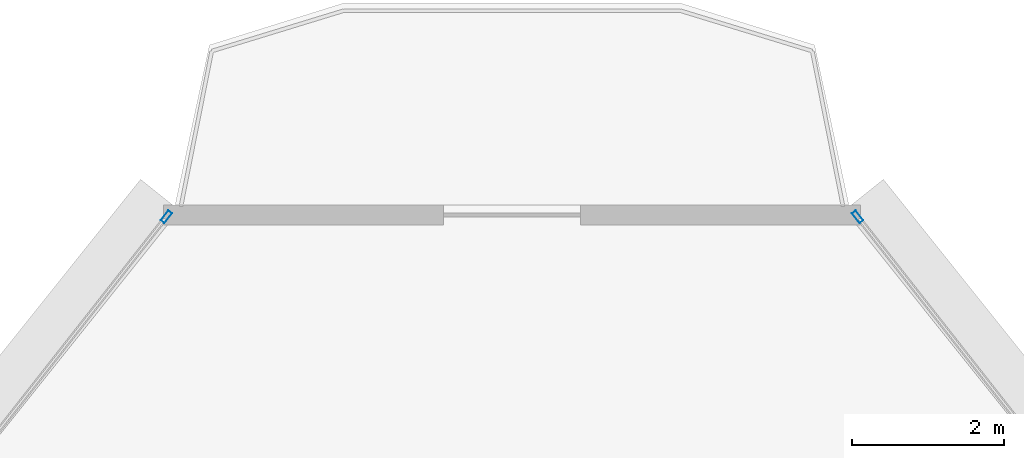
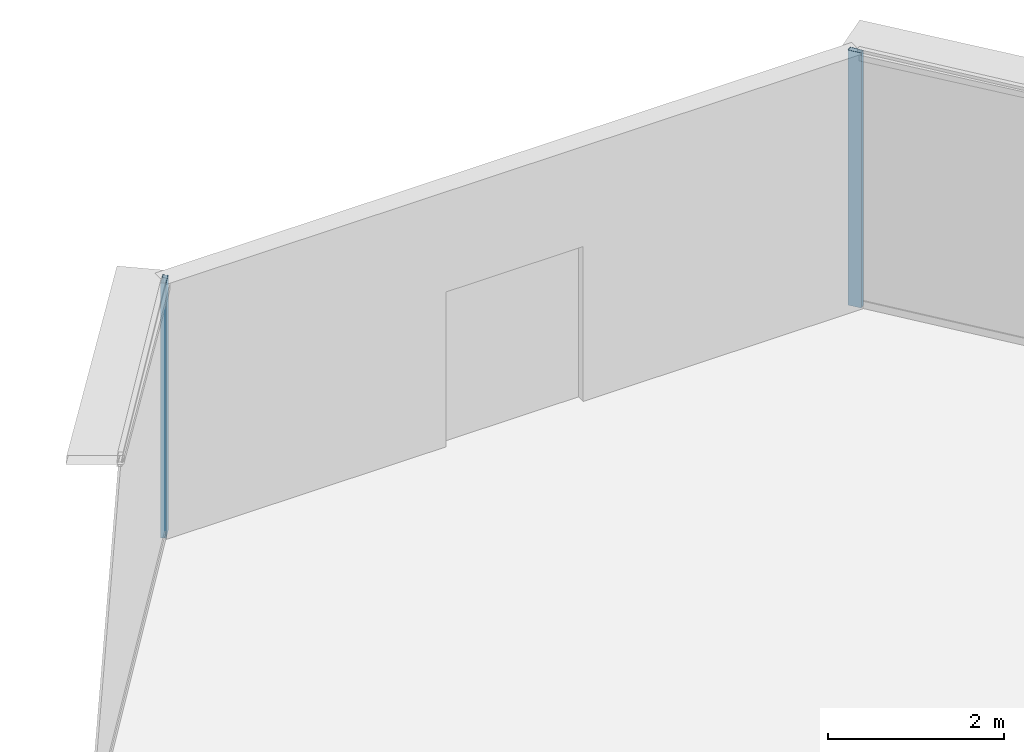
# One storey, part 26 of 36: 2 members, 2 elements without a shape of their own.
"""IFC4 building model written with IfcOpenShell, lengths in metres."""

from ifc_helpers import new_model, si_unit, direction, frame, origin, origin_2d, place, context, subcontext, project, spatial, hollow_rectangle, extrude, source, transform, mapped, material, layer, layer_set, material_profile, profile_set, type_object, element, aggregate, save


model = new_model("IFC4")

# Units and contexts
model_context = context("Model", 3, precision=1e-05, world=origin(), true_north=direction((0.0, 1.0)))
body_context = subcontext(model_context, "Body", "Model", "MODEL_VIEW")
ifc_project = project(units=[si_unit("LENGTHUNIT", "METRE"), si_unit("AREAUNIT", "SQUARE_METRE"), si_unit("VOLUMEUNIT", "CUBIC_METRE"), si_unit("PLANEANGLEUNIT", "RADIAN"), si_unit("MASSUNIT", "GRAM", prefix="KILO"), si_unit("THERMODYNAMICTEMPERATUREUNIT", "KELVIN"), si_unit("POWERUNIT", "WATT")], contexts=[model_context])

# Site, building, storey
site_placement = place(None, origin())
site = spatial("IfcSite", under=ifc_project, at=site_placement, CompositionType="ELEMENT")
building_placement = place(site_placement, origin())
building = spatial("IfcBuilding", under=site, at=building_placement, Name="Yunzhuo Pagoda Commons", CompositionType="ELEMENT")
storey_placement = place(building_placement, frame((0.0, 0.0, 103.97998046875)))
storey = spatial("IfcBuildingStorey", under=building, at=storey_placement, Name="L26", CompositionType="ELEMENT", Elevation=103.97998046875)

# Curtain wall, member
ifc_material = material(Name="Anodized aluminium 6063-T6", Category="aluminium")
ifc_layer = layer(ifc_material, 0.1650390625)
ifc_layer_set = layer_set([ifc_layer], Name="Anodized aluminium 6063-T6")
curtain_wall_type = type_object("IfcCurtainWallType", Name="CW-LOW Low-Zone Ribbon Curtain Wall", PredefinedType="NOTDEFINED", material=ifc_layer_set)
curtain_wall_1_placement = place(storey_placement, origin())
curtain_wall_1 = element("IfcCurtainWall", 1, at=curtain_wall_1_placement, inside=storey, type_object=curtain_wall_type, Name="L26 curtain wall CW-L26-F2B5", PredefinedType="NOTDEFINED")
ifc_material_profile = material_profile(ifc_material, hollow_rectangle(XDim=0.06494140625, YDim=0.1650390625, WallThickness=0.00390625, at=origin_2d()), Name="Anodized aluminium 6063-T6")
ifc_profile_set = profile_set([ifc_material_profile], Name="Anodized aluminium 6063-T6")
member_type = type_object("IfcMemberType", Name="CW-LOW-M Mullion RHS 165x65x4", PredefinedType="MULLION", material=ifc_profile_set)
shared_shape = source(origin(), body_context, "Body", "SweptSolid", [
    extrude(hollow_rectangle(XDim=0.06494140625, YDim=0.1650390625, WallThickness=0.00390625, at=origin_2d()), origin(), (0.0, 0.0, 1.0), 3.5400390625),
])
member_1_placement = place(storey_placement, frame((52.537109375, 86.463623046875, 0.000244140625), z_axis=(0.0, 0.0, 1.0), x_axis=(-0.786301112862, -0.617843475253, 0.0)))
member_1 = element("IfcMember", 2, at=member_1_placement, type_object=member_type, Name="CW mullion 2", PredefinedType="MULLION", context=body_context, shape_type="MappedRepresentation", body=[
    mapped(shared_shape, transform((0.0, 0.0, 0.0), scale=1.0)),
])
aggregate(curtain_wall_1, [member_1])

curtain_wall_2_placement = place(storey_placement, origin())
curtain_wall_2 = element("IfcCurtainWall", 3, at=curtain_wall_2_placement, inside=storey, type_object=curtain_wall_type, Name="L26 curtain wall CW-L26-F3B1", PredefinedType="NOTDEFINED")
member_2_placement = place(storey_placement, frame((43.462890625, 86.463623046875, 0.000244140625), z_axis=(0.0, 0.0, 1.0), x_axis=(0.786301112862, -0.617843475253, 0.0)))
member_2 = element("IfcMember", 4, at=member_2_placement, type_object=member_type, Name="CW mullion 1", PredefinedType="MULLION", context=body_context, shape_type="MappedRepresentation", body=[
    mapped(shared_shape, transform((0.0, 0.0, 0.0), scale=1.0)),
])
aggregate(curtain_wall_2, [member_2])

save(model, "model.ifc")
